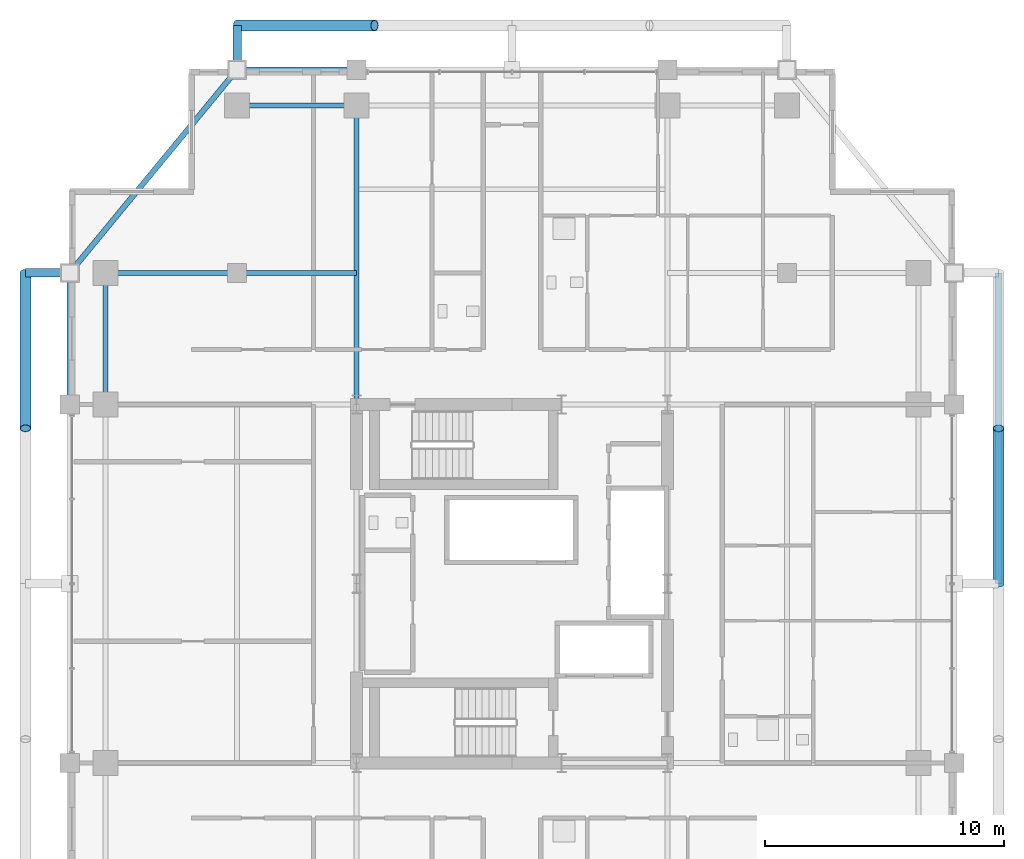
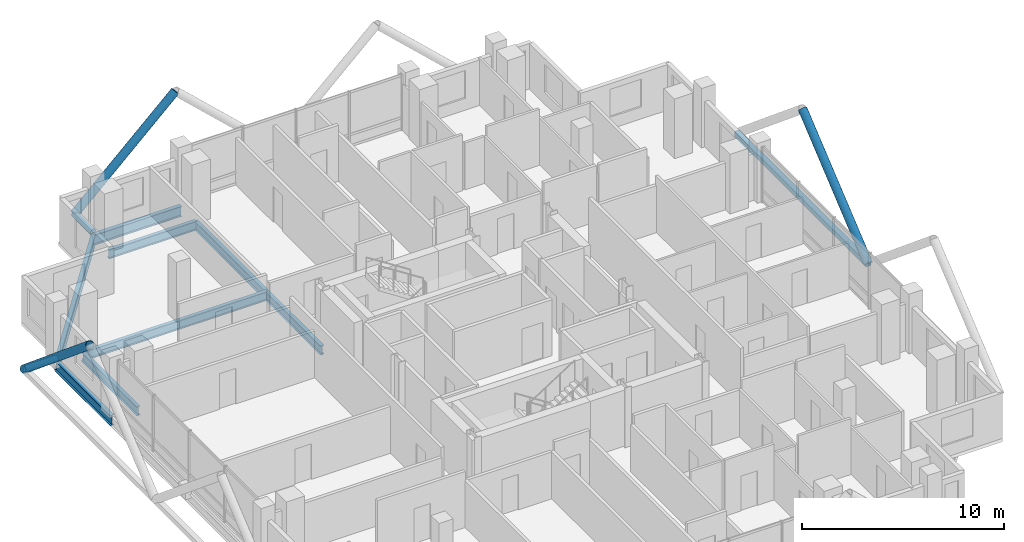
# One storey, part 14 of 26: 8 beams, 6 members.
"""IFC4 building model written with IfcOpenShell, lengths in metres."""

from ifc_helpers import new_model, si_unit, direction, frame, origin, origin_2d, place, context, subcontext, project, spatial, hollow_rectangle, hollow_circle, i_section, extrude, material, material_profile, profile_set, type_object, element, save


model = new_model("IFC4")

# Units and contexts
model_context = context("Model", 3, precision=1e-05, world=origin(), true_north=direction((0.0, 1.0)))
body_context = subcontext(model_context, "Body", "Model", "MODEL_VIEW")
ifc_project = project(units=[si_unit("LENGTHUNIT", "METRE"), si_unit("AREAUNIT", "SQUARE_METRE"), si_unit("VOLUMEUNIT", "CUBIC_METRE"), si_unit("PLANEANGLEUNIT", "RADIAN"), si_unit("MASSUNIT", "GRAM", prefix="KILO")], contexts=[model_context])

# Site, building, storey
site_placement = place(None, origin())
site = spatial("IfcSite", under=ifc_project, at=site_placement, CompositionType="ELEMENT")
building_placement = place(site_placement, origin())
building = spatial("IfcBuilding", under=site, at=building_placement, Name="Barlavira Tower and Art Museum", CompositionType="ELEMENT")
storey_placement = place(building_placement, frame((0.0, 0.0, 176.39990234375)))
storey = spatial("IfcBuildingStorey", under=building, at=storey_placement, Name="L45", CompositionType="ELEMENT", Elevation=176.39990234375)

# Members
ifc_material = material(Name="Steel S355", Category="steel")
ifc_material_profile_1 = material_profile(ifc_material, hollow_circle(Radius=0.228515625, WallThickness=0.02001953125, at=origin_2d()), Name="CHS 457.0x20.0")
ifc_profile_set_1 = profile_set([ifc_material_profile_1], Name="Steel S355")
member_type_1 = type_object("IfcMemberType", Name="Pale-Metal Exoskeleton Diagrid Tube CHS 457x20 Steel S355", PredefinedType="BRACE", material=ifc_profile_set_1)
member_1_placement = place(storey_placement, frame((-11.5, 23.35009765625, -0.119873046875), z_axis=(0.728950095515, 0.0, 0.684566839869), x_axis=(0.0, 1.0, 0.0)))
element("IfcMember", 1, at=member_1_placement, inside=storey, type_object=member_type_1, Name="L45 Exoskeleton Diagrid Tube N", PredefinedType="BRACE", context=body_context, shape_type="SweptSolid", body=[
    extrude(hollow_circle(Radius=0.228515625, WallThickness=0.02001953125, at=origin_2d()), origin(), (0.0, 0.0, 1.0), 7.887939453125),
])
for number, where, z_axis, x_axis, name in (
    (2, (-20.35009765625, 13.0, -0.119873046875), (0.0, -0.769196053329, 0.639012857104), (1.0, 0.0, 0.0), "L45 Exoskeleton Diagrid Tube W"),
    (3, (20.35009765625, 0.0, -0.119873046875), (0.0, 0.769196053329, 0.639012857104), (-1.0, 0.0, 0.0), "L45 Exoskeleton Diagrid Tube E"),
):
    element("IfcMember", number, at=place(storey_placement, frame(where, z_axis=z_axis, x_axis=x_axis)), inside=storey, type_object=member_type_1, Name=name, PredefinedType="BRACE", context=body_context, shape_type="SweptSolid", body=[
        extrude(hollow_circle(Radius=0.228515625, WallThickness=0.02001953125, at=origin_2d()), origin(), (0.0, 0.0, 1.0), 8.450439453125),
    ])
ifc_material_profile_2 = material_profile(ifc_material, hollow_circle(Radius=0.177734375, WallThickness=0.01611328125, at=origin_2d()), Name="CHS 355.6x16.0")
ifc_profile_set_2 = profile_set([ifc_material_profile_2], Name="Steel S355")
member_type_2 = type_object("IfcMemberType", Name="Pale-Metal Exoskeleton Tie Strut CHS 356x16 Steel S355", PredefinedType="STRUT", material=ifc_profile_set_2)
for number, where, z_axis, x_axis, name in (
    (4, (-11.5, 23.35009765625, -0.119873046875), (0.0, -1.0, 0.0), (1.0, 0.0, 0.0), "L45 Exoskeleton Tie Strut N1"),
    (5, (-20.35009765625, 13.0, -0.119873046875), (1.0, 0.0, 0.0), (0.0, 1.0, 0.0), "L45 Exoskeleton Tie Strut W3"),
):
    element("IfcMember", number, at=place(storey_placement, frame(where, z_axis=z_axis, x_axis=x_axis)), inside=storey, type_object=member_type_2, Name=name, PredefinedType="STRUT", context=body_context, shape_type="SweptSolid", body=[
        extrude(hollow_circle(Radius=0.177734375, WallThickness=0.01611328125, at=origin_2d()), origin(), (0.0, 0.0, 1.0), 1.85009765625),
    ])
ifc_material_profile_3 = material_profile(ifc_material, hollow_rectangle(XDim=0.300048828125, YDim=0.300048828125, WallThickness=0.01611328125, at=origin_2d()), Name="SHS 300x300x16.0")
ifc_profile_set_3 = profile_set([ifc_material_profile_3], Name="Steel S355")
member_type_3 = type_object("IfcMemberType", Name="Pale-Metal Upper Ring Strut SHS 300x300x16 Steel S355", PredefinedType="STRUT", material=ifc_profile_set_3)
member_2_placement = place(storey_placement, frame((20.35009765625, 0.0, -0.119873046875), z_axis=(0.0, 1.0, 0.0), x_axis=(-1.0, 0.0, 0.0)))
element("IfcMember", 6, at=member_2_placement, inside=storey, type_object=member_type_3, Name="L45 Exoskeleton Ring Strut E", PredefinedType="STRUT", context=body_context, shape_type="SweptSolid", body=[
    extrude(hollow_rectangle(XDim=0.300048828125, YDim=0.300048828125, WallThickness=0.01611328125, at=origin_2d()), origin(), (0.0, 0.0, 1.0), 13.0),
])

# Beams
ifc_material_profile_4 = material_profile(ifc_material, i_section(OverallWidth=0.22998046875, OverallDepth=0.616943359375, WebThickness=0.01318359375, FlangeThickness=0.022216796875, at=origin_2d()), Name="W610x140.0")
ifc_profile_set_4 = profile_set([ifc_material_profile_4], Name="Steel S355")
beam_type_1 = type_object("IfcBeamType", Name="Upper Shaft Spandrel Edge Beam W610x140 Steel S355", PredefinedType="SPANDREL", material=ifc_profile_set_4)
beam_1_placement = place(storey_placement, frame((-11.5, 21.5, -0.5283203125), z_axis=(1.0, 0.0, 0.0), x_axis=(0.0, 1.0, 0.0)))
element("IfcBeam", 7, at=beam_1_placement, inside=storey, type_object=beam_type_1, Name="L45 Spandrel 11", PredefinedType="SPANDREL", context=body_context, shape_type="SweptSolid", body=[
    extrude(i_section(OverallWidth=0.22998046875, OverallDepth=0.616943359375, WebThickness=0.01318359375, FlangeThickness=0.022216796875, at=origin_2d()), origin(), (0.0, 0.0, 1.0), 5.0),
])
beam_2_placement = place(storey_placement, frame((-11.5, 21.5, -0.5283203125), z_axis=(-0.635707252861, -0.771930235617, 0.0), x_axis=(0.771930235617, -0.635707252861, 0.0)))
element("IfcBeam", 8, at=beam_2_placement, inside=storey, type_object=beam_type_1, Name="L45 Spandrel 12", PredefinedType="SPANDREL", context=body_context, shape_type="SweptSolid", body=[
    extrude(i_section(OverallWidth=0.22998046875, OverallDepth=0.616943359375, WebThickness=0.01318359375, FlangeThickness=0.022216796875, at=origin_2d()), origin(), (0.0, 0.0, 1.0), 11.011474609375),
])
beam_3_placement = place(storey_placement, frame((-18.5, 7.5, -0.5283203125), z_axis=(0.0, 1.0, 0.0), x_axis=(-1.0, 0.0, 0.0)))
element("IfcBeam", 9, at=beam_3_placement, inside=storey, type_object=beam_type_1, Name="L45 Spandrel 13", PredefinedType="SPANDREL", context=body_context, shape_type="SweptSolid", body=[
    extrude(i_section(OverallWidth=0.22998046875, OverallDepth=0.616943359375, WebThickness=0.01318359375, FlangeThickness=0.022216796875, at=origin_2d()), origin(), (0.0, 0.0, 1.0), 5.5),
])
ifc_material_profile_5 = material_profile(ifc_material, i_section(OverallWidth=0.2109375, OverallDepth=0.5390625, WebThickness=0.01171875, FlangeThickness=0.018798828125, at=origin_2d()), Name="W530x109.0")
ifc_profile_set_5 = profile_set([ifc_material_profile_5], Name="Steel S355")
beam_type_2 = type_object("IfcBeamType", Name="Zone 3-4 Primary Floor Girder W530x109 Steel S355", PredefinedType="BEAM", material=ifc_profile_set_5)
beam_4_placement = place(storey_placement, frame((-11.5, 20.0, -0.489501953125), z_axis=(1.0, 0.0, 0.0), x_axis=(0.0, 1.0, 0.0)))
element("IfcBeam", 10, at=beam_4_placement, inside=storey, type_object=beam_type_2, Name="L45 Girder M-N1", PredefinedType="BEAM", context=body_context, shape_type="SweptSolid", body=[
    extrude(i_section(OverallWidth=0.2109375, OverallDepth=0.5390625, WebThickness=0.01171875, FlangeThickness=0.018798828125, at=origin_2d()), origin(), (0.0, 0.0, 1.0), 5.0),
])
beam_5_placement = place(storey_placement, frame((-17.0, 7.5, -0.489501953125), z_axis=(0.0, 1.0, 0.0), x_axis=(-1.0, 0.0, 0.0)))
element("IfcBeam", 11, at=beam_5_placement, inside=storey, type_object=beam_type_2, Name="L45 Girder M-W3", PredefinedType="BEAM", context=body_context, shape_type="SweptSolid", body=[
    extrude(i_section(OverallWidth=0.2109375, OverallDepth=0.5390625, WebThickness=0.01171875, FlangeThickness=0.018798828125, at=origin_2d()), origin(), (0.0, 0.0, 1.0), 5.5),
])
beam_6_placement = place(storey_placement, frame((-6.5, 7.5, -0.489501953125), z_axis=(0.0, 1.0, 0.0), x_axis=(-1.0, 0.0, 0.0)))
element("IfcBeam", 12, at=beam_6_placement, inside=storey, type_object=beam_type_2, Name="L45 Girder R-N1", PredefinedType="BEAM", context=body_context, shape_type="SweptSolid", body=[
    extrude(i_section(OverallWidth=0.2109375, OverallDepth=0.5390625, WebThickness=0.01171875, FlangeThickness=0.018798828125, at=origin_2d()), origin(), (0.0, 0.0, 1.0), 12.5),
])
beam_7_placement = place(storey_placement, frame((-17.0, 13.0, -0.489501953125), z_axis=(1.0, 0.0, 0.0), x_axis=(0.0, 1.0, 0.0)))
element("IfcBeam", 13, at=beam_7_placement, inside=storey, type_object=beam_type_2, Name="L45 Girder I-N1", PredefinedType="BEAM", context=body_context, shape_type="SweptSolid", body=[
    extrude(i_section(OverallWidth=0.2109375, OverallDepth=0.5390625, WebThickness=0.01171875, FlangeThickness=0.018798828125, at=origin_2d()), origin(), (0.0, 0.0, 1.0), 5.5),
])
beam_8_placement = place(storey_placement, frame((-11.5, 13.0, -0.489501953125), z_axis=(1.0, 0.0, 0.0), x_axis=(0.0, 1.0, 0.0)))
element("IfcBeam", 14, at=beam_8_placement, inside=storey, type_object=beam_type_2, Name="L45 Girder I-N2", PredefinedType="BEAM", context=body_context, shape_type="SweptSolid", body=[
    extrude(i_section(OverallWidth=0.2109375, OverallDepth=0.5390625, WebThickness=0.01171875, FlangeThickness=0.018798828125, at=origin_2d()), origin(), (0.0, 0.0, 1.0), 5.0),
])

save(model, "model.ifc")
